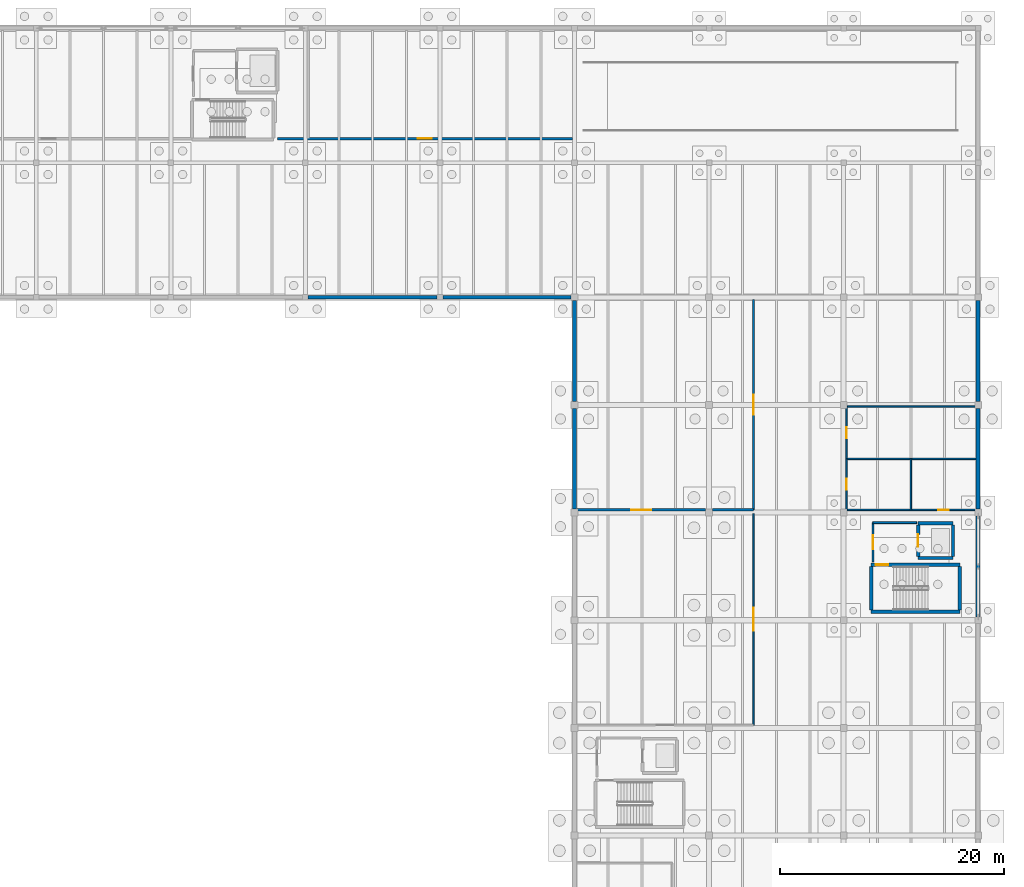
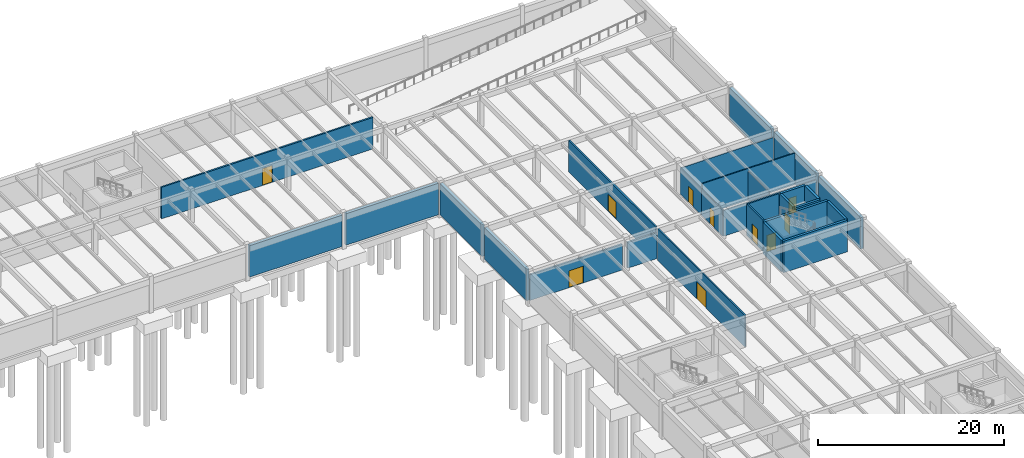
# One storey, part 13 of 20: 29 walls, 10 doors, 10 openings.
"""IFC4 building model written with IfcOpenShell, lengths in metres."""

from ifc_helpers import new_model, si_unit, direction, frame, frame_2d, origin, place, context, subcontext, project, spatial, rectangle, extrude, material, layer, layer_set, type_object, element, fill, save


model = new_model("IFC4")

# Units and contexts
model_context = context("Model", 3, precision=1e-05, world=origin(), true_north=direction((0.0, 1.0)))
body_context = subcontext(model_context, "Body", "Model", "MODEL_VIEW")
ifc_project = project(units=[si_unit("LENGTHUNIT", "METRE"), si_unit("AREAUNIT", "SQUARE_METRE"), si_unit("VOLUMEUNIT", "CUBIC_METRE"), si_unit("PLANEANGLEUNIT", "RADIAN"), si_unit("MASSUNIT", "GRAM", prefix="KILO")], contexts=[model_context])

# Site, building, storey
site_placement = place(None, origin())
site = spatial("IfcSite", under=ifc_project, at=site_placement, CompositionType="ELEMENT")
building_placement = place(site_placement, origin())
building = spatial("IfcBuilding", under=site, at=building_placement, Name="Pandanus Reach Market Hall", CompositionType="ELEMENT")
storey_placement = place(building_placement, frame((0.0, 0.0, -4.5)))
storey = spatial("IfcBuildingStorey", under=building, at=storey_placement, Name="B1", CompositionType="ELEMENT", Elevation=-4.5)

# Wall
ifc_material_1 = material(Name="Concrete N40 (40 MPa)", Category="concrete")
ifc_layer_1 = layer(ifc_material_1, 0.300048828125, Name="WL-CORE-300")
ifc_layer_set_1 = layer_set([ifc_layer_1], Name="Concrete N40 (40 MPa)")
wall_type_1 = type_object("IfcWallType", Name="WL-CORE-300", PredefinedType="SHEAR", material=ifc_layer_set_1)
wall_1_placement = place(storey_placement, frame((170.449951171875, 67.949951171875, 0.0), z_axis=(0.0, 0.0, 1.0), x_axis=(1.0, 0.0, 0.0)))
element("IfcWall", 1, at=wall_1_placement, inside=storey, type_object=wall_type_1, Name="Internal wall WL-CORE-300 WL-0210", PredefinedType="SHEAR", context=body_context, shape_type="SweptSolid", body=[
    extrude(rectangle(XDim=7.920166015625, YDim=0.300048828125, at=frame_2d((3.9599609375, 0.0))), origin(), (0.0, 0.0, 1.0), 4.14990234375),
])

# Wall, opening, door
wall_2_placement = place(storey_placement, frame((170.449951171875, 72.14990234375, 0.0), z_axis=(0.0, 0.0, 1.0), x_axis=(1.0, 0.0, 0.0)))
wall_2 = element("IfcWall", 2, at=wall_2_placement, inside=storey, type_object=wall_type_1, Name="Internal wall WL-CORE-300 WL-0211", PredefinedType="SHEAR", context=body_context, shape_type="SweptSolid", body=[
    extrude(rectangle(XDim=7.920166015625, YDim=0.300048828125, at=frame_2d((3.9599609375, 0.0))), origin(), (0.0, 0.0, 1.0), 4.14990234375),
])
opening_1_placement = place(wall_2_placement, frame((0.39990234375, 0.0, 0.0)))
opening_1 = element("IfcOpeningElement", 3, at=opening_1_placement, cuts=wall_2, Name="Opening DR-FD1", PredefinedType="OPENING", context=body_context, shape_type="SweptSolid", body=[
    extrude(rectangle(XDim=1.14990234375, YDim=2.14990234375, at=frame_2d((0.574951171875, 1.074951171875))), frame((0.0, 0.1650390625, 0.0), z_axis=(0.0, -1.0, 0.0), x_axis=(1.0, 0.0, 0.0)), (0.0, 0.0, 1.0), 0.330078125),
])
ifc_material_2 = material(Name="Fire-rated steel door", Category="steel")
door_type_1 = type_object("IfcDoorType", Name="DR-FD1", OperationType="NOTDEFINED", PredefinedType="DOOR", material=ifc_material_2)
door_1_placement = place(opening_1_placement, frame((1.14990234375, 0.0, 0.0), z_axis=(0.0, 0.0, 1.0), x_axis=(-1.0, 0.0, 0.0)))
door_1 = element("IfcDoor", 4, at=door_1_placement, inside=storey, type_object=door_type_1, Name="Fire stair door ST-02 B1", OperationType="SINGLE_SWING_RIGHT", OverallHeight=2.14990234375, OverallWidth=1.14990234375, PredefinedType="DOOR", context=body_context, shape_type="SweptSolid", body=[
    extrude(rectangle(XDim=1.14990234375, YDim=2.14990234375, at=frame_2d((0.574951171875, 1.074951171875))), frame((0.0, 0.02490234375, 0.0), z_axis=(0.0, -1.0, 0.0), x_axis=(1.0, 0.0, 0.0)), (0.0, 0.0, 1.0), 0.050048828125),
])
fill(opening_1, door_1)

# Walls
for number, where, z_axis, x_axis, name in (
    (5, (170.449951171875, 68.10009765625, 0.0), (0.0, 0.0, 1.0), (0.0, 1.0, 0.0), "Internal wall WL-CORE-300 WL-0212"),
    (6, (178.3701171875, 68.10009765625, 0.0), (0.0, 0.0, 1.0), (0.0, 1.0, 0.0), "Internal wall WL-CORE-300 WL-0213"),
):
    element("IfcWall", number, at=place(storey_placement, frame(where, z_axis=z_axis, x_axis=x_axis)), inside=storey, type_object=wall_type_1, Name=name, PredefinedType="SHEAR", context=body_context, shape_type="SweptSolid", body=[
        extrude(rectangle(XDim=3.89990234375, YDim=0.300048828125, at=frame_2d((1.949951171875, 0.0))), origin(), (0.0, 0.0, 1.0), 4.14990234375),
    ])
for number, where, z_axis, x_axis, name in (
    (7, (174.64990234375, 72.75, 0.0), (0.0, 0.0, 1.0), (1.0, 0.0, 0.0), "Internal wall WL-CORE-300 WL-0214"),
    (8, (174.64990234375, 75.85009765625, 0.0), (0.0, 0.0, 1.0), (1.0, 0.0, 0.0), "Internal wall WL-CORE-300 WL-0215"),
):
    element("IfcWall", number, at=place(storey_placement, frame(where, z_axis=z_axis, x_axis=x_axis)), inside=storey, type_object=wall_type_1, Name=name, PredefinedType="SHEAR", context=body_context, shape_type="SweptSolid", body=[
        extrude(rectangle(XDim=3.10009765625, YDim=0.300048828125, at=frame_2d((1.550048828125, 0.0))), origin(), (0.0, 0.0, 1.0), 4.14990234375),
    ])
wall_3_placement = place(storey_placement, frame((177.75, 72.89990234375, 0.0), z_axis=(0.0, 0.0, 1.0), x_axis=(0.0, 1.0, 0.0)))
element("IfcWall", 9, at=wall_3_placement, inside=storey, type_object=wall_type_1, Name="Internal wall WL-CORE-300 WL-0216", PredefinedType="SHEAR", context=body_context, shape_type="SweptSolid", body=[
    extrude(rectangle(XDim=2.800048828125, YDim=0.300048828125, at=frame_2d((1.39990234375, 0.0))), origin(), (0.0, 0.0, 1.0), 4.14990234375),
])

# Wall, opening, door
wall_4_placement = place(storey_placement, frame((174.64990234375, 72.89990234375, 0.0), z_axis=(0.0, 0.0, 1.0), x_axis=(0.0, 1.0, 0.0)))
wall_4 = element("IfcWall", 10, at=wall_4_placement, inside=storey, type_object=wall_type_1, Name="Internal wall WL-CORE-300 WL-0217", PredefinedType="SHEAR", context=body_context, shape_type="SweptSolid", body=[
    extrude(rectangle(XDim=2.800048828125, YDim=0.300048828125, at=frame_2d((1.39990234375, 0.0))), origin(), (0.0, 0.0, 1.0), 4.14990234375),
])
opening_2_placement = place(wall_4_placement, frame((0.85009765625, 0.0, 0.0)))
opening_2 = element("IfcOpeningElement", 11, at=opening_2_placement, cuts=wall_4, Name="Opening LD-01", PredefinedType="OPENING", context=body_context, shape_type="SweptSolid", body=[
    extrude(rectangle(XDim=1.10009765625, YDim=2.14990234375, at=frame_2d((0.550048828125, 1.074951171875))), frame((0.0, 0.1650390625, 0.0), z_axis=(0.0, -1.0, 0.0), x_axis=(1.0, 0.0, 0.0)), (0.0, 0.0, 1.0), 0.330078125),
])
ifc_material_3 = material(Name="Stainless steel lift landing door", Category="steel")
door_type_2 = type_object("IfcDoorType", Name="LD-01", OperationType="SLIDING_TO_LEFT", PredefinedType="DOOR", material=ifc_material_3)
door_2_placement = place(opening_2_placement, origin())
door_2 = element("IfcDoor", 12, at=door_2_placement, inside=storey, type_object=door_type_2, Name="Lift landing door LF-02 LD-01 21", OperationType="SLIDING_TO_LEFT", OverallHeight=2.14990234375, OverallWidth=1.10009765625, PredefinedType="DOOR", context=body_context, shape_type="SweptSolid", body=[
    extrude(rectangle(XDim=1.10009765625, YDim=2.14990234375, at=frame_2d((0.550048828125, 1.074951171875))), frame((0.0, 0.02490234375, 0.0), z_axis=(0.0, -1.0, 0.0), x_axis=(1.0, 0.0, 0.0)), (0.0, 0.0, 1.0), 0.050048828125),
])
fill(opening_2, door_2)

ifc_layer_2 = layer(ifc_material_1, 0.199951171875, Name="WL-FIRE-200")
ifc_layer_set_2 = layer_set([ifc_layer_2], Name="Concrete N40 (40 MPa)")
wall_type_2 = type_object("IfcWallType", Name="WL-FIRE-200", PredefinedType="SOLIDWALL", material=ifc_layer_set_2)
wall_5_placement = place(storey_placement, frame((117.5, 110.14990234375, 0.0), z_axis=(0.0, 0.0, 1.0), x_axis=(1.0, 0.0, 0.0)))
wall_5 = element("IfcWall", 13, at=wall_5_placement, inside=storey, type_object=wall_type_2, Name="Internal wall WL-FIRE-200 WL-0453", PredefinedType="SOLIDWALL", context=body_context, shape_type="SweptSolid", body=[
    extrude(rectangle(XDim=26.300048828125, YDim=0.199951171875, at=frame_2d((13.14990234375, 0.0))), origin(), (0.0, 0.0, 1.0), 4.14990234375),
])
opening_3_placement = place(wall_5_placement, frame((12.52490234375, 0.0, 0.0)))
opening_3 = element("IfcOpeningElement", 14, at=opening_3_placement, cuts=wall_5, Name="Opening DR-FD2", PredefinedType="OPENING", context=body_context, shape_type="SweptSolid", body=[
    extrude(rectangle(XDim=1.25, YDim=2.199951171875, at=frame_2d((0.625, 1.10009765625))), frame((0.0, 0.114990234375, 0.0), z_axis=(0.0, -1.0, 0.0), x_axis=(1.0, 0.0, 0.0)), (0.0, 0.0, 1.0), 0.22998046875),
])
door_type_3 = type_object("IfcDoorType", Name="DR-FD2", OperationType="NOTDEFINED", PredefinedType="DOOR", material=ifc_material_2)
door_3_placement = place(opening_3_placement, origin())
door_3 = element("IfcDoor", 15, at=door_3_placement, inside=storey, type_object=door_type_3, Name="Freezer vault 2 door DR-FD2 96", OperationType="SINGLE_SWING_LEFT", OverallHeight=2.199951171875, OverallWidth=1.25, PredefinedType="DOOR", context=body_context, shape_type="SweptSolid", body=[
    extrude(rectangle(XDim=1.25, YDim=2.199951171875, at=frame_2d((0.625, 1.10009765625))), frame((0.0, 0.02490234375, 0.0), z_axis=(0.0, -1.0, 0.0), x_axis=(1.0, 0.0, 0.0)), (0.0, 0.0, 1.0), 0.050048828125),
])
fill(opening_3, door_3)

wall_6_placement = place(storey_placement, frame((144.199951171875, 77.050048828125, 0.0), z_axis=(0.0, 0.0, 1.0), x_axis=(1.0, 0.0, 0.0)))
wall_6 = element("IfcWall", 16, at=wall_6_placement, inside=storey, type_object=wall_type_2, Name="Internal wall WL-FIRE-200 WL-0455", PredefinedType="SOLIDWALL", context=body_context, shape_type="SweptSolid", body=[
    extrude(rectangle(XDim=11.5, YDim=0.199951171875, at=frame_2d((5.75, 0.0))), origin(), (0.0, 0.0, 1.0), 3.389892578125),
])
opening_4_placement = place(wall_6_placement, frame((4.85009765625, 0.0, 0.0)))
opening_4 = element("IfcOpeningElement", 17, at=opening_4_placement, cuts=wall_6, Name="Opening DR-FD3", PredefinedType="OPENING", context=body_context, shape_type="SweptSolid", body=[
    extrude(rectangle(XDim=1.800048828125, YDim=2.199951171875, at=frame_2d((0.89990234375, 1.10009765625))), frame((0.0, 0.114990234375, 0.0), z_axis=(0.0, -1.0, 0.0), x_axis=(1.0, 0.0, 0.0)), (0.0, 0.0, 1.0), 0.22998046875),
])
ifc_material_4 = material(Name="Fire-rated double lobby door")
door_type_4 = type_object("IfcDoorType", Name="DR-FD3", OperationType="DOUBLE_DOOR_SINGLE_SWING", PredefinedType="DOOR", material=ifc_material_4)
door_4_placement = place(opening_4_placement, origin())
door_4 = element("IfcDoor", 18, at=door_4_placement, inside=storey, type_object=door_type_4, Name="HACCP prep fire compartment door DR-FD3 97", OperationType="DOUBLE_DOOR_SINGLE_SWING", OverallHeight=2.199951171875, OverallWidth=1.800048828125, PredefinedType="DOOR", context=body_context, shape_type="SweptSolid", body=[
    extrude(rectangle(XDim=1.800048828125, YDim=2.199951171875, at=frame_2d((0.89990234375, 1.10009765625))), frame((0.0, 0.02490234375, 0.0), z_axis=(0.0, -1.0, 0.0), x_axis=(1.0, 0.0, 0.0)), (0.0, 0.0, 1.0), 0.050048828125),
])
fill(opening_4, door_4)

# Wall
wall_7_placement = place(storey_placement, frame((156.300048828125, 77.050048828125, 0.0), z_axis=(0.0, 0.0, 1.0), x_axis=(1.0, 0.0, 0.0)))
element("IfcWall", 19, at=wall_7_placement, inside=storey, type_object=wall_type_2, Name="Internal wall WL-FIRE-200 WL-0456", PredefinedType="SOLIDWALL", context=body_context, shape_type="SweptSolid", body=[
    extrude(rectangle(XDim=3.64990234375, YDim=0.199951171875, at=frame_2d((1.824951171875, 0.0))), origin(), (0.0, 0.0, 1.0), 3.389892578125),
])

# Wall, opening, door
wall_8_placement = place(storey_placement, frame((159.949951171875, 77.050048828125, 0.0), z_axis=(0.0, 0.0, 1.0), x_axis=(0.0, 1.0, 0.0)))
wall_8 = element("IfcWall", 20, at=wall_8_placement, inside=storey, type_object=wall_type_2, Name="Internal wall WL-FIRE-200 WL-0458", PredefinedType="SOLIDWALL", context=body_context, shape_type="SweptSolid", body=[
    extrude(rectangle(XDim=18.75, YDim=0.199951171875, at=frame_2d((9.375, 0.0))), origin(), (0.0, 0.0, 1.0), 4.14990234375),
])
opening_5_placement = place(wall_8_placement, frame((8.47509765625, 0.0, 0.0)))
opening_5 = element("IfcOpeningElement", 21, at=opening_5_placement, cuts=wall_8, Name="Opening DR-FD3", PredefinedType="OPENING", context=body_context, shape_type="SweptSolid", body=[
    extrude(rectangle(XDim=1.800048828125, YDim=2.199951171875, at=frame_2d((0.89990234375, 1.10009765625))), frame((0.0, 0.114990234375, 0.0), z_axis=(0.0, -1.0, 0.0), x_axis=(1.0, 0.0, 0.0)), (0.0, 0.0, 1.0), 0.22998046875),
])
door_5_placement = place(opening_5_placement, origin())
door_5 = element("IfcDoor", 22, at=door_5_placement, inside=storey, type_object=door_type_4, Name="HACCP prep drive-aisle fire door DR-FD3 99", OperationType="DOUBLE_DOOR_SINGLE_SWING", OverallHeight=2.199951171875, OverallWidth=1.800048828125, PredefinedType="DOOR", context=body_context, shape_type="SweptSolid", body=[
    extrude(rectangle(XDim=1.800048828125, YDim=2.199951171875, at=frame_2d((0.89990234375, 1.10009765625))), frame((0.0, 0.02490234375, 0.0), z_axis=(0.0, -1.0, 0.0), x_axis=(1.0, 0.0, 0.0)), (0.0, 0.0, 1.0), 0.050048828125),
])
fill(opening_5, door_5)

ifc_layer_3 = layer(ifc_material_1, 0.175048828125, Name="WL-LOB-175")
ifc_layer_set_3 = layer_set([ifc_layer_3], Name="Concrete N40 (40 MPa)")
wall_type_3 = type_object("IfcWallType", Name="WL-LOB-175", PredefinedType="PARTITIONING", material=ifc_layer_set_3)
wall_9_placement = place(storey_placement, frame((170.60009765625, 72.39990234375, 0.0), z_axis=(0.0, 0.0, 1.0), x_axis=(0.0, 1.0, 0.0)))
wall_9 = element("IfcWall", 23, at=wall_9_placement, inside=storey, type_object=wall_type_3, Name="Internal wall WL-LOB-175 WL-0218", PredefinedType="PARTITIONING", context=body_context, shape_type="SweptSolid", body=[
    extrude(rectangle(XDim=3.5, YDim=0.175048828125, at=frame_2d((1.75, 0.0))), origin(), (0.0, 0.0, 1.0), 4.14990234375),
])
opening_6_placement = place(wall_9_placement, frame((1.125, 0.0, 0.0)))
opening_6 = element("IfcOpeningElement", 24, at=opening_6_placement, cuts=wall_9, Name="Opening DR-FD2", PredefinedType="OPENING", context=body_context, shape_type="SweptSolid", body=[
    extrude(rectangle(XDim=1.25, YDim=2.199951171875, at=frame_2d((0.625, 1.10009765625))), frame((0.0, 0.1025390625, 0.0), z_axis=(0.0, -1.0, 0.0), x_axis=(1.0, 0.0, 0.0)), (0.0, 0.0, 1.0), 0.205078125),
])
door_6_placement = place(opening_6_placement, frame((1.25, 0.0, 0.0), z_axis=(0.0, 0.0, 1.0), x_axis=(-1.0, 0.0, 0.0)))
door_6 = element("IfcDoor", 25, at=door_6_placement, inside=storey, type_object=door_type_3, Name="Core C2 lobby fire door DR-FD2 22", OperationType="SINGLE_SWING_LEFT", OverallHeight=2.199951171875, OverallWidth=1.25, PredefinedType="DOOR", context=body_context, shape_type="SweptSolid", body=[
    extrude(rectangle(XDim=1.25, YDim=2.199951171875, at=frame_2d((0.625, 1.10009765625))), frame((0.0, 0.02490234375, 0.0), z_axis=(0.0, -1.0, 0.0), x_axis=(1.0, 0.0, 0.0)), (0.0, 0.0, 1.0), 0.050048828125),
])
fill(opening_6, door_6)

# Walls
wall_10_placement = place(storey_placement, frame((170.60009765625, 75.89990234375, 0.0), z_axis=(0.0, 0.0, 1.0), x_axis=(1.0, 0.0, 0.0)))
element("IfcWall", 26, at=wall_10_placement, inside=storey, type_object=wall_type_3, Name="Internal wall WL-LOB-175 WL-0219", PredefinedType="PARTITIONING", context=body_context, shape_type="SweptSolid", body=[
    extrude(rectangle(XDim=3.89990234375, YDim=0.175048828125, at=frame_2d((1.949951171875, 0.0))), origin(), (0.0, 0.0, 1.0), 4.14990234375),
])
ifc_material_5 = material(Name="Moisture-resistant plasterboard partition", Category="gypsum")
ifc_layer_4 = layer(ifc_material_5, 0.135009765625, Name="WL-PRT-135")
ifc_layer_set_4 = layer_set([ifc_layer_4], Name="Moisture-resistant plasterboard partition")
wall_type_4 = type_object("IfcWallType", Name="WL-PRT-135", PredefinedType="PARTITIONING", material=ifc_layer_set_4)
wall_11_placement = place(storey_placement, frame((168.25, 77.050048828125, 0.0), z_axis=(0.0, 0.0, 1.0), x_axis=(1.0, 0.0, 0.0)))
element("IfcWall", 27, at=wall_11_placement, inside=storey, type_object=wall_type_4, Name="Internal wall WL-PRT-135 WL-0466", PredefinedType="PARTITIONING", context=body_context, shape_type="SweptSolid", body=[
    extrude(rectangle(XDim=5.75, YDim=0.135009765625, at=frame_2d((2.875, 0.0))), origin(), (0.0, 0.0, 1.0), 3.389892578125),
])
wall_12_placement = place(storey_placement, frame((168.25, 81.60009765625, 0.0), z_axis=(0.0, 0.0, 1.0), x_axis=(1.0, 0.0, 0.0)))
element("IfcWall", 28, at=wall_12_placement, inside=storey, type_object=wall_type_4, Name="Internal wall WL-PRT-135 WL-0467", PredefinedType="PARTITIONING", context=body_context, shape_type="SweptSolid", body=[
    extrude(rectangle(XDim=11.550048828125, YDim=0.135009765625, at=frame_2d((5.77490234375, 0.0))), origin(), (0.0, 0.0, 1.0), 4.14990234375),
])
wall_13_placement = place(storey_placement, frame((168.25, 86.25, 0.0), z_axis=(0.0, 0.0, 1.0), x_axis=(1.0, 0.0, 0.0)))
element("IfcWall", 29, at=wall_13_placement, inside=storey, type_object=wall_type_4, Name="Internal wall WL-PRT-135 WL-0468", PredefinedType="PARTITIONING", context=body_context, shape_type="SweptSolid", body=[
    extrude(rectangle(XDim=11.550048828125, YDim=0.135009765625, at=frame_2d((5.77490234375, 0.0))), origin(), (0.0, 0.0, 1.0), 3.389892578125),
])
wall_14_placement = place(storey_placement, frame((174.0, 77.050048828125, 0.0), z_axis=(0.0, 0.0, 1.0), x_axis=(0.0, 1.0, 0.0)))
element("IfcWall", 30, at=wall_14_placement, inside=storey, type_object=wall_type_4, Name="Internal wall WL-PRT-135 WL-0469", PredefinedType="PARTITIONING", context=body_context, shape_type="SweptSolid", body=[
    extrude(rectangle(XDim=4.550048828125, YDim=0.135009765625, at=frame_2d((2.27490234375, 0.0))), origin(), (0.0, 0.0, 1.0), 3.78369140625),
])

# Wall, opening, door
wall_15_placement = place(storey_placement, frame((168.25, 77.050048828125, 0.0), z_axis=(0.0, 0.0, 1.0), x_axis=(0.0, 1.0, 0.0)))
wall_15 = element("IfcWall", 31, at=wall_15_placement, inside=storey, type_object=wall_type_4, Name="Internal wall WL-PRT-135 WL-0470", PredefinedType="PARTITIONING", context=body_context, shape_type="SweptSolid", body=[
    extrude(rectangle(XDim=4.550048828125, YDim=0.135009765625, at=frame_2d((2.27490234375, 0.0))), origin(), (0.0, 0.0, 1.0), 3.389892578125),
])
opening_7_placement = place(wall_15_placement, frame((1.800048828125, 0.0, 0.0)))
opening_7 = element("IfcOpeningElement", 32, at=opening_7_placement, cuts=wall_15, Name="Opening DR-I09", PredefinedType="OPENING", context=body_context, shape_type="SweptSolid", body=[
    extrude(rectangle(XDim=0.949951171875, YDim=2.10009765625, at=frame_2d((0.47509765625, 1.050048828125))), frame((0.0, 0.08251953125, 0.0), z_axis=(0.0, -1.0, 0.0), x_axis=(1.0, 0.0, 0.0)), (0.0, 0.0, 1.0), 0.1650390625),
])
ifc_material_6 = material(Name="Solid-core hardwood timber door", Category="wood")
door_type_5 = type_object("IfcDoorType", Name="DR-I09", OperationType="NOTDEFINED", PredefinedType="DOOR", material=ifc_material_6)
door_7_placement = place(opening_7_placement, origin())
door_7 = element("IfcDoor", 33, at=door_7_placement, inside=storey, type_object=door_type_5, Name="Basement male WC door DR-I09 104", OperationType="SINGLE_SWING_LEFT", OverallHeight=2.10009765625, OverallWidth=0.949951171875, PredefinedType="DOOR", context=body_context, shape_type="SweptSolid", body=[
    extrude(rectangle(XDim=0.949951171875, YDim=2.10009765625, at=frame_2d((0.47509765625, 1.050048828125))), frame((0.0, 0.02490234375, 0.0), z_axis=(0.0, -1.0, 0.0), x_axis=(1.0, 0.0, 0.0)), (0.0, 0.0, 1.0), 0.050048828125),
])
fill(opening_7, door_7)

wall_16_placement = place(storey_placement, frame((168.25, 81.60009765625, 0.0), z_axis=(0.0, 0.0, 1.0), x_axis=(0.0, 1.0, 0.0)))
wall_16 = element("IfcWall", 34, at=wall_16_placement, inside=storey, type_object=wall_type_4, Name="Internal wall WL-PRT-135 WL-0471", PredefinedType="PARTITIONING", context=body_context, shape_type="SweptSolid", body=[
    extrude(rectangle(XDim=4.64990234375, YDim=0.135009765625, at=frame_2d((2.324951171875, 0.0))), origin(), (0.0, 0.0, 1.0), 3.389892578125),
])
opening_8_placement = place(wall_16_placement, frame((1.824951171875, 0.0, 0.0)))
opening_8 = element("IfcOpeningElement", 35, at=opening_8_placement, cuts=wall_16, Name="Opening DR-I10", PredefinedType="OPENING", context=body_context, shape_type="SweptSolid", body=[
    extrude(rectangle(XDim=1.0, YDim=2.10009765625, at=frame_2d((0.5, 1.050048828125))), frame((0.0, 0.08251953125, 0.0), z_axis=(0.0, -1.0, 0.0), x_axis=(1.0, 0.0, 0.0)), (0.0, 0.0, 1.0), 0.1650390625),
])
ifc_material_7 = material(Name="Accessible unisex WC timber door", Category="wood")
door_type_6 = type_object("IfcDoorType", Name="DR-I10", OperationType="NOTDEFINED", PredefinedType="DOOR", material=ifc_material_7)
door_8_placement = place(opening_8_placement, origin())
door_8 = element("IfcDoor", 36, at=door_8_placement, inside=storey, type_object=door_type_6, Name="Basement accessible WC door DR-I10 105", OperationType="SINGLE_SWING_RIGHT", OverallHeight=2.10009765625, OverallWidth=1.0, PredefinedType="DOOR", context=body_context, shape_type="SweptSolid", body=[
    extrude(rectangle(XDim=1.0, YDim=2.10009765625, at=frame_2d((0.5, 1.050048828125))), frame((0.0, 0.02490234375, 0.0), z_axis=(0.0, -1.0, 0.0), x_axis=(1.0, 0.0, 0.0)), (0.0, 0.0, 1.0), 0.050048828125),
])
fill(opening_8, door_8)

wall_17_placement = place(storey_placement, frame((174.0, 77.050048828125, 0.0), z_axis=(0.0, 0.0, 1.0), x_axis=(1.0, 0.0, 0.0)))
wall_17 = element("IfcWall", 37, at=wall_17_placement, inside=storey, type_object=wall_type_4, Name="Internal wall WL-PRT-135 WL-0472", PredefinedType="PARTITIONING", context=body_context, shape_type="SweptSolid", body=[
    extrude(rectangle(XDim=5.800048828125, YDim=0.135009765625, at=frame_2d((2.89990234375, 0.0))), origin(), (0.0, 0.0, 1.0), 3.389892578125),
])
opening_9_placement = place(wall_17_placement, frame((2.425048828125, 0.0, 0.0)))
opening_9 = element("IfcOpeningElement", 38, at=opening_9_placement, cuts=wall_17, Name="Opening DR-I09", PredefinedType="OPENING", context=body_context, shape_type="SweptSolid", body=[
    extrude(rectangle(XDim=0.949951171875, YDim=2.10009765625, at=frame_2d((0.47509765625, 1.050048828125))), frame((0.0, 0.08251953125, 0.0), z_axis=(0.0, -1.0, 0.0), x_axis=(1.0, 0.0, 0.0)), (0.0, 0.0, 1.0), 0.1650390625),
])
door_9_placement = place(opening_9_placement, origin())
door_9 = element("IfcDoor", 39, at=door_9_placement, inside=storey, type_object=door_type_5, Name="Basement female WC door DR-I09 106", OperationType="SINGLE_SWING_LEFT", OverallHeight=2.10009765625, OverallWidth=0.949951171875, PredefinedType="DOOR", context=body_context, shape_type="SweptSolid", body=[
    extrude(rectangle(XDim=0.949951171875, YDim=2.10009765625, at=frame_2d((0.47509765625, 1.050048828125))), frame((0.0, 0.02490234375, 0.0), z_axis=(0.0, -1.0, 0.0), x_axis=(1.0, 0.0, 0.0)), (0.0, 0.0, 1.0), 0.050048828125),
])
fill(opening_9, door_9)

ifc_material_8 = material(Name="Acoustic plasterboard on steel framing", Category="steel")
ifc_layer_5 = layer(ifc_material_8, 0.14990234375, Name="WL-PRT-150")
ifc_layer_set_5 = layer_set([ifc_layer_5], Name="Acoustic plasterboard on steel framing")
wall_type_5 = type_object("IfcWallType", Name="WL-PRT-150", PredefinedType="PARTITIONING", material=ifc_layer_set_5)
wall_18_placement = place(storey_placement, frame((159.949951171875, 57.85009765625, 0.0), z_axis=(0.0, 0.0, 1.0), x_axis=(0.0, 1.0, 0.0)))
wall_18 = element("IfcWall", 40, at=wall_18_placement, inside=storey, type_object=wall_type_5, Name="Internal wall WL-PRT-150 WL-0457", PredefinedType="PARTITIONING", context=body_context, shape_type="SweptSolid", body=[
    extrude(rectangle(XDim=18.849853515625, YDim=0.14990234375, at=frame_2d((9.4248046875, 0.0))), origin(), (0.0, 0.0, 1.0), 4.14990234375),
])
opening_10_placement = place(wall_18_placement, frame((8.39990234375, 0.0, 0.0)))
opening_10 = element("IfcOpeningElement", 41, at=opening_10_placement, cuts=wall_18, Name="Opening DR-I20", PredefinedType="OPENING", context=body_context, shape_type="SweptSolid", body=[
    extrude(rectangle(XDim=2.050048828125, YDim=2.25, at=frame_2d((1.02490234375, 1.125))), frame((0.0, 0.08984375, 0.0), z_axis=(0.0, -1.0, 0.0), x_axis=(1.0, 0.0, 0.0)), (0.0, 0.0, 1.0), 0.179931640625),
])
ifc_material_9 = material(Name="Double cold-chain pallet corridor door")
door_type_7 = type_object("IfcDoorType", Name="DR-I20", OperationType="DOUBLE_DOOR_SINGLE_SWING", PredefinedType="DOOR", material=ifc_material_9)
door_10_placement = place(opening_10_placement, origin())
door_10 = element("IfcDoor", 42, at=door_10_placement, inside=storey, type_object=door_type_7, Name="Bonded dry store double door DR-I20 98", OperationType="DOUBLE_DOOR_SINGLE_SWING", OverallHeight=2.25, OverallWidth=2.050048828125, PredefinedType="DOOR", context=body_context, shape_type="SweptSolid", body=[
    extrude(rectangle(XDim=2.050048828125, YDim=2.25, at=frame_2d((1.02490234375, 1.125))), frame((0.0, 0.02490234375, 0.0), z_axis=(0.0, -1.0, 0.0), x_axis=(1.0, 0.0, 0.0)), (0.0, 0.0, 1.0), 0.050048828125),
])
fill(opening_10, door_10)

# Walls
ifc_layer_6 = layer(ifc_material_1, 0.320068359375, Name="WL-RET-320")
ifc_layer_set_6 = layer_set([ifc_layer_6], Name="Concrete N40 (40 MPa)")
wall_type_6 = type_object("IfcWallType", Name="WL-RET-320", PredefinedType="USERDEFINED", material=ifc_layer_set_6)
wall_19_placement = place(storey_placement, frame((120.25, 96.0, 0.0), z_axis=(0.0, 0.0, 1.0), x_axis=(1.0, 0.0, 0.0)))
element("IfcWall", 43, at=wall_19_placement, inside=storey, type_object=wall_type_6, Name="External wall WL-RET-320 WL-0033", ObjectType="RETAINING", PredefinedType="USERDEFINED", context=body_context, shape_type="SweptSolid", body=[
    extrude(rectangle(XDim=11.5, YDim=0.320068359375, at=frame_2d((5.75, 0.0))), origin(), (0.0, 0.0, 1.0), 4.14990234375),
])
wall_20_placement = place(storey_placement, frame((132.25, 96.0, 0.0), z_axis=(0.0, 0.0, 1.0), x_axis=(1.0, 0.0, 0.0)))
element("IfcWall", 44, at=wall_20_placement, inside=storey, type_object=wall_type_6, Name="External wall WL-RET-320 WL-0034", ObjectType="RETAINING", PredefinedType="USERDEFINED", context=body_context, shape_type="SweptSolid", body=[
    extrude(rectangle(XDim=11.449951171875, YDim=0.320068359375, at=frame_2d((5.72509765625, 0.0))), origin(), (0.0, 0.0, 1.0), 4.14990234375),
])
for number, where, z_axis, x_axis, name in (
    (45, (144.0, 77.10009765625, 0.0), (0.0, 0.0, 1.0), (0.0, 1.0, 0.0), "External wall WL-RET-320 WL-0043"),
    (46, (144.0, 86.699951171875, 0.0), (0.0, 0.0, 1.0), (0.0, 1.0, 0.0), "External wall WL-RET-320 WL-0044"),
):
    element("IfcWall", number, at=place(storey_placement, frame(where, z_axis=z_axis, x_axis=x_axis)), inside=storey, type_object=wall_type_6, Name=name, ObjectType="RETAINING", PredefinedType="USERDEFINED", context=body_context, shape_type="SweptSolid", body=[
        extrude(rectangle(XDim=9.0, YDim=0.320068359375, at=frame_2d((4.5, 0.0))), origin(), (0.0, 0.0, 1.0), 4.14990234375),
    ])
ifc_layer_7 = layer(ifc_material_1, 0.360107421875, Name="WL-RET-360")
ifc_layer_set_7 = layer_set([ifc_layer_7], Name="Concrete N40 (40 MPa)")
wall_type_7 = type_object("IfcWallType", Name="WL-RET-360", PredefinedType="USERDEFINED", material=ifc_layer_set_7)
for number, where, z_axis, x_axis, name in (
    (47, (180.0, 67.5, 0.0), (0.0, 0.0, 1.0), (0.0, 1.0, 0.0), "External wall WL-RET-360 WL-0011"),
    (48, (180.0, 77.10009765625, 0.0), (0.0, 0.0, 1.0), (0.0, 1.0, 0.0), "External wall WL-RET-360 WL-0012"),
    (49, (180.0, 86.699951171875, 0.0), (0.0, 0.0, 1.0), (0.0, 1.0, 0.0), "External wall WL-RET-360 WL-0013"),
):
    element("IfcWall", number, at=place(storey_placement, frame(where, z_axis=z_axis, x_axis=x_axis)), inside=storey, type_object=wall_type_7, Name=name, ObjectType="RETAINING", PredefinedType="USERDEFINED", context=body_context, shape_type="SweptSolid", body=[
        extrude(rectangle(XDim=9.0, YDim=0.360107421875, at=frame_2d((4.5, 0.0))), origin(), (0.0, 0.0, 1.0), 4.14990234375),
    ])

save(model, "model.ifc")
